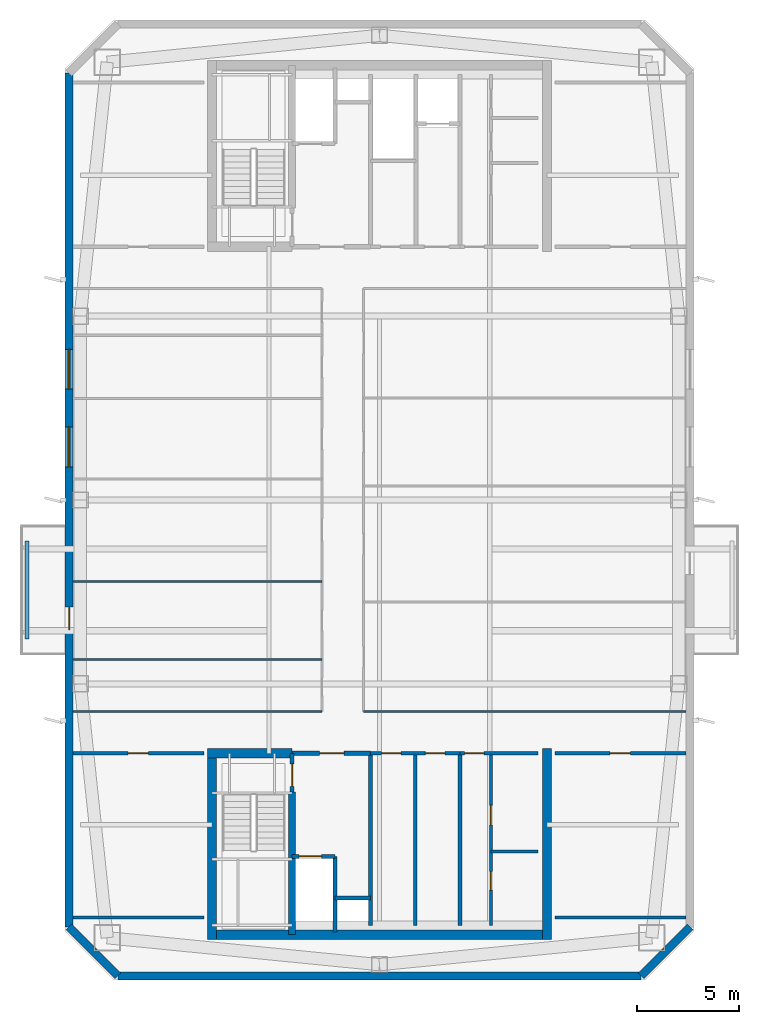
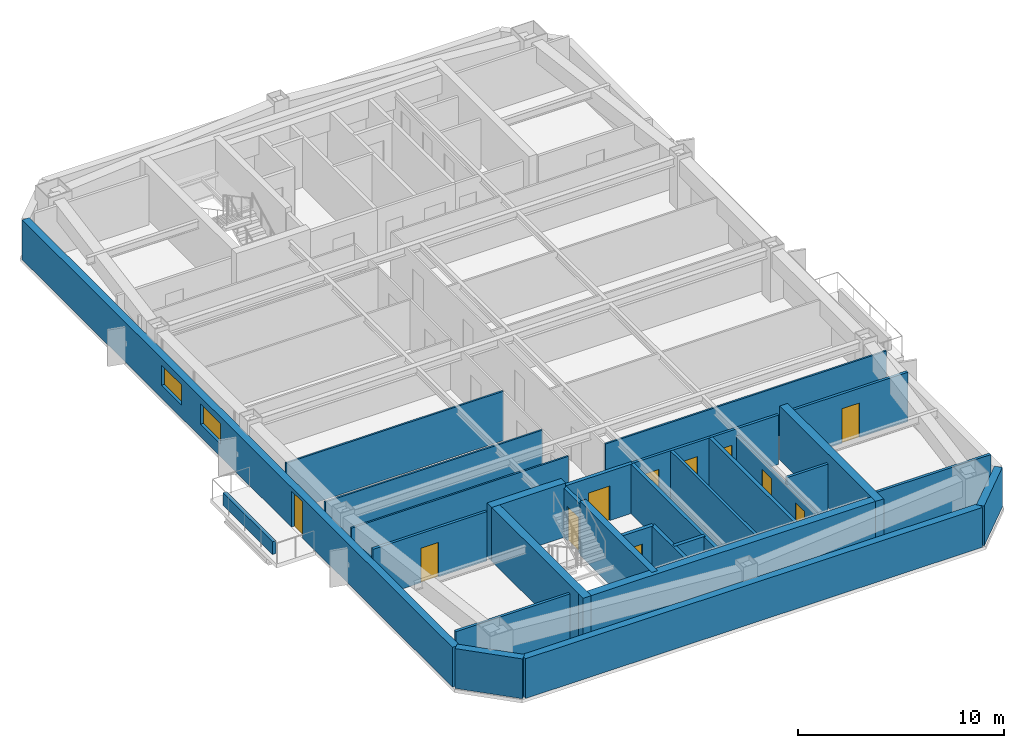
# One storey, part 2 of 7: 30 walls, 11 doors, 2 windows, 13 openings.
"""IFC4 building model written with IfcOpenShell, lengths in metres."""

from ifc_helpers import new_model, si_unit, direction, frame, frame_2d, origin, place, context, subcontext, project, spatial, rectangle, extrude, material, layer, layer_set, type_object, element, fill, save


model = new_model("IFC4")

# Units and contexts
model_context = context("Model", 3, precision=1e-05, world=origin(), true_north=direction((0.0, 1.0)))
body_context = subcontext(model_context, "Body", "Model", "MODEL_VIEW")
ifc_project = project(units=[si_unit("LENGTHUNIT", "METRE"), si_unit("AREAUNIT", "SQUARE_METRE"), si_unit("VOLUMEUNIT", "CUBIC_METRE"), si_unit("PLANEANGLEUNIT", "RADIAN"), si_unit("MASSUNIT", "GRAM", prefix="KILO")], contexts=[model_context])

# Site, building, storey
site_placement = place(None, origin())
site = spatial("IfcSite", under=ifc_project, at=site_placement, CompositionType="ELEMENT")
building_placement = place(site_placement, origin())
building = spatial("IfcBuilding", under=site, at=building_placement, Name="Qiaolan Cultural Towers", CompositionType="ELEMENT")
storey_placement = place(building_placement, frame((0.0, 0.0, 256.800048828125)))
storey = spatial("IfcBuildingStorey", under=building, at=storey_placement, Name="L70", CompositionType="ELEMENT", Elevation=256.800048828125)

# Walls
ifc_material_1 = material(Name="Concrete C50", Category="concrete")
ifc_layer_1 = layer(ifc_material_1, 0.35009765625)
ifc_layer_set_1 = layer_set([ifc_layer_1], Name="Concrete C50")
wall_type_1 = type_object("IfcWallType", Name="WL-CORE-350", PredefinedType="SHEAR", material=ifc_layer_set_1)
wall_1_placement = place(storey_placement, frame((25.719970703125, 19.699951171875, 0.0), z_axis=(0.0, 0.0, 1.0), x_axis=(0.0, -1.0, 0.0)))
element("IfcWall", 1, at=wall_1_placement, inside=storey, type_object=wall_type_1, Name="L70 T1-CS Stair Core Dividing Web", PredefinedType="SHEAR", context=body_context, shape_type="SweptSolid", body=[
    extrude(rectangle(XDim=6.97998046875, YDim=0.35009765625, at=frame_2d((3.489990234375, 0.0))), origin(), (0.0, 0.0, 1.0), 3.199951171875),
])
ifc_material_2 = material(Name="Concrete C50", Category="concrete")
ifc_layer_2 = layer(ifc_material_2, 0.449951171875)
ifc_layer_set_2 = layer_set([ifc_layer_2], Name="Concrete C50")
wall_type_2 = type_object("IfcWallType", Name="WL-CORE-450", PredefinedType="SHEAR", material=ifc_layer_set_2)
wall_2_placement = place(storey_placement, frame((21.574951171875, 12.719970703125, 0.0), z_axis=(0.0, 0.0, 1.0), x_axis=(1.0, 0.0, 0.0)))
element("IfcWall", 2, at=wall_2_placement, inside=storey, type_object=wall_type_2, Name="L70 T1-CS Outer Core Shear Wall", PredefinedType="SHEAR", context=body_context, shape_type="SweptSolid", body=[
    extrude(rectangle(XDim=16.85009765625, YDim=0.449951171875, at=frame_2d((8.425048828125, 0.0))), origin(), (0.0, 0.0, 1.0), 3.199951171875),
])
for number, where, z_axis, x_axis, name in (
    (3, (21.800048828125, 21.824951171875, 0.0), (0.0, 0.0, 1.0), (0.0, -1.0, 0.0), "L70 T1-CS West Core Shear Wall"),
    (4, (38.199951171875, 21.824951171875, 0.0), (0.0, 0.0, 1.0), (0.0, -1.0, 0.0), "L70 T1-CS East Core Shear Wall"),
):
    element("IfcWall", number, at=place(storey_placement, frame(where, z_axis=z_axis, x_axis=x_axis)), inside=storey, type_object=wall_type_2, Name=name, PredefinedType="SHEAR", context=body_context, shape_type="SweptSolid", body=[
        extrude(rectangle(XDim=9.329833984375, YDim=0.449951171875, at=frame_2d((4.6650390625, 0.0))), origin(), (0.0, 0.0, 1.0), 3.199951171875),
    ])
wall_3_placement = place(storey_placement, frame((21.574951171875, 21.60009765625, 0.0), z_axis=(0.0, 0.0, 1.0), x_axis=(1.0, 0.0, 0.0)))
element("IfcWall", 5, at=wall_3_placement, inside=storey, type_object=wall_type_2, Name="L70 T1-CS Stair Front Shear Wall", PredefinedType="SHEAR", context=body_context, shape_type="SweptSolid", body=[
    extrude(rectangle(XDim=4.14501953125, YDim=0.449951171875, at=frame_2d((2.072509765625, 0.0))), origin(), (0.0, 0.0, 1.0), 3.199951171875),
])

# Wall, openings, door, windows
ifc_material_3 = material(Name="Precast Concrete C50 Honed Stone Pier", Category="masonry")
ifc_layer_3 = layer(ifc_material_3, 0.39990234375)
ifc_layer_set_3 = layer_set([ifc_layer_3], Name="Precast Concrete C50 Honed Stone Pier")
wall_type_3 = type_object("IfcWallType", Name="WL-EXT-PIER-400", PredefinedType="SOLIDWALL", material=ifc_layer_set_3)
wall_4_placement = place(storey_placement, frame((14.800048828125, 13.10009765625, 0.0), z_axis=(0.0, 0.0, 1.0), x_axis=(0.0, 1.0, 0.0)))
wall_4 = element("IfcWall", 6, at=wall_4_placement, inside=storey, type_object=wall_type_3, Name="L70 West Tower Precast Pier Facade Wall F1", PredefinedType="SOLIDWALL", context=body_context, shape_type="SweptSolid", body=[
    extrude(rectangle(XDim=41.7998046875, YDim=0.39990234375, at=frame_2d((20.89990234375, 0.0))), origin(), (0.0, 0.0, 1.0), 2.35986328125),
])
opening_1_placement = place(wall_4_placement, frame((22.52490234375, 0.0, 0.75)))
opening_1 = element("IfcOpeningElement", 7, at=opening_1_placement, cuts=wall_4, Name="Opening W-06", PredefinedType="OPENING", context=body_context, shape_type="SweptSolid", body=[
    extrude(rectangle(XDim=1.949951171875, YDim=1.2099609375, at=frame_2d((0.97509765625, 0.60498046875))), frame((0.0, 0.2099609375, 0.0), z_axis=(0.0, -1.0, 0.0), x_axis=(1.0, 0.0, 0.0)), (0.0, 0.0, 1.0), 0.419921875),
])
opening_2_placement = place(wall_4_placement, frame((26.324951171875, 0.0, 0.75)))
opening_2 = element("IfcOpeningElement", 8, at=opening_2_placement, cuts=wall_4, Name="Opening W-06", PredefinedType="OPENING", context=body_context, shape_type="SweptSolid", body=[
    extrude(rectangle(XDim=1.949951171875, YDim=1.2099609375, at=frame_2d((0.97509765625, 0.60498046875))), frame((0.0, 0.2099609375, 0.0), z_axis=(0.0, -1.0, 0.0), x_axis=(1.0, 0.0, 0.0)), (0.0, 0.0, 1.0), 0.419921875),
])
opening_3_placement = place(wall_4_placement, frame((14.550048828125, 0.0, 0.0)))
opening_3 = element("IfcOpeningElement", 9, at=opening_3_placement, cuts=wall_4, Name="Opening BD-01", PredefinedType="OPENING", context=body_context, shape_type="SweptSolid", body=[
    extrude(rectangle(XDim=1.10009765625, YDim=2.14990234375, at=frame_2d((0.550048828125, 1.074951171875))), frame((0.0, 0.2099609375, 0.0), z_axis=(0.0, -1.0, 0.0), x_axis=(1.0, 0.0, 0.0)), (0.0, 0.0, 1.0), 0.419921875),
])
ifc_material_4 = material(Name="Thermally Broken Aluminium Glazed Terrace Door", Category="aluminium")
door_type_1 = type_object("IfcDoorType", Name="DR-BAL-1100", OperationType="NOTDEFINED", PredefinedType="DOOR", material=ifc_material_4)
door_1_placement = place(opening_3_placement, origin())
door_1 = element("IfcDoor", 10, at=door_1_placement, inside=storey, type_object=door_type_1, Name="L70 T1 West Tree Balcony Door", OperationType="SINGLE_SWING_LEFT", OverallHeight=2.14990234375, OverallWidth=1.10009765625, PredefinedType="DOOR", context=body_context, shape_type="SweptSolid", body=[
    extrude(rectangle(XDim=1.10009765625, YDim=2.14990234375, at=frame_2d((0.550048828125, 1.074951171875))), frame((0.0, 0.02490234375, 0.0), z_axis=(0.0, -1.0, 0.0), x_axis=(1.0, 0.0, 0.0)), (0.0, 0.0, 1.0), 0.050048828125),
])
fill(opening_3, door_1)
ifc_material_5 = material(Name="Thermally Broken Aluminium Triple Low-E Glazing", Category="aluminium")
window_type = type_object("IfcWindowType", Name="WN-CHIC-1950", PartitioningType="SINGLE_PANEL", PredefinedType="WINDOW", material=ifc_material_5)
window_1_placement = place(opening_1_placement, origin())
window_1 = element("IfcWindow", 11, at=window_1_placement, inside=storey, type_object=window_type, Name="L70 T1 W Chicago Bay Window 1", OverallHeight=1.2099609375, OverallWidth=1.949951171875, PartitioningType="TRIPLE_PANEL_VERTICAL", PredefinedType="WINDOW", context=body_context, shape_type="SweptSolid", body=[
    extrude(rectangle(XDim=1.949951171875, YDim=1.2099609375, at=frame_2d((0.97509765625, 0.60498046875))), frame((0.0, 0.030029296875, 0.0), z_axis=(0.0, -1.0, 0.0), x_axis=(1.0, 0.0, 0.0)), (0.0, 0.0, 1.0), 0.06005859375),
])
fill(opening_1, window_1)
window_2_placement = place(opening_2_placement, origin())
window_2 = element("IfcWindow", 12, at=window_2_placement, inside=storey, type_object=window_type, Name="L70 T1 W Chicago Bay Window 2", OverallHeight=1.2099609375, OverallWidth=1.949951171875, PartitioningType="TRIPLE_PANEL_VERTICAL", PredefinedType="WINDOW", context=body_context, shape_type="SweptSolid", body=[
    extrude(rectangle(XDim=1.949951171875, YDim=1.2099609375, at=frame_2d((0.97509765625, 0.60498046875))), frame((0.0, 0.030029296875, 0.0), z_axis=(0.0, -1.0, 0.0), x_axis=(1.0, 0.0, 0.0)), (0.0, 0.0, 1.0), 0.06005859375),
])
fill(opening_2, window_2)

# Walls
wall_5_placement = place(storey_placement, frame((45.199951171875, 13.10009765625, 0.0), z_axis=(0.0, 0.0, 1.0), x_axis=(-0.707070815327, -0.707142745217, 0.0)))
element("IfcWall", 13, at=wall_5_placement, inside=storey, type_object=wall_type_3, Name="L70 West Tower Precast Pier Facade Wall F6", PredefinedType="SOLIDWALL", context=body_context, shape_type="SweptSolid", body=[
    extrude(rectangle(XDim=3.39404296875, YDim=0.39990234375, at=frame_2d((1.697021484375, 0.0))), origin(), (0.0, 0.0, 1.0), 2.35986328125),
])
wall_6_placement = place(storey_placement, frame((42.800048828125, 10.699951171875, 0.0), z_axis=(0.0, 0.0, 1.0), x_axis=(-1.0, 0.0, 0.0)))
element("IfcWall", 14, at=wall_6_placement, inside=storey, type_object=wall_type_3, Name="L70 West Tower Precast Pier Facade Wall F7", PredefinedType="SOLIDWALL", context=body_context, shape_type="SweptSolid", body=[
    extrude(rectangle(XDim=25.60009765625, YDim=0.39990234375, at=frame_2d((12.800048828125, 0.0))), origin(), (0.0, 0.0, 1.0), 2.35986328125),
])
wall_7_placement = place(storey_placement, frame((17.199951171875, 10.699951171875, 0.0), z_axis=(0.0, 0.0, 1.0), x_axis=(-0.707070815327, 0.707142745217, 0.0)))
element("IfcWall", 15, at=wall_7_placement, inside=storey, type_object=wall_type_3, Name="L70 West Tower Precast Pier Facade Wall F8", PredefinedType="SOLIDWALL", context=body_context, shape_type="SweptSolid", body=[
    extrude(rectangle(XDim=3.39404296875, YDim=0.39990234375, at=frame_2d((1.697021484375, 0.0))), origin(), (0.0, 0.0, 1.0), 2.35986328125),
])

# Wall, opening, door
ifc_material_6 = material(Name="Concrete C35 Fire Wall", Category="concrete")
ifc_layer_4 = layer(ifc_material_6, 0.199951171875)
ifc_layer_set_4 = layer_set([ifc_layer_4], Name="Concrete C35 Fire Wall")
wall_type_4 = type_object("IfcWallType", Name="WL-FIRE-200", PredefinedType="PARTITIONING", material=ifc_layer_set_4)
wall_8_placement = place(storey_placement, frame((25.719970703125, 21.60009765625, 0.0), z_axis=(0.0, 0.0, 1.0), x_axis=(0.0, -1.0, 0.0)))
wall_8 = element("IfcWall", 16, at=wall_8_placement, inside=storey, type_object=wall_type_4, Name="L70 T1-CS Smokeproof Stair Entry Wall", PredefinedType="PARTITIONING", context=body_context, shape_type="SweptSolid", body=[
    extrude(rectangle(XDim=1.900146484375, YDim=0.199951171875, at=frame_2d((0.9501953125, 0.0))), origin(), (0.0, 0.0, 1.0), 2.925048828125),
])
opening_4_placement = place(wall_8_placement, frame((0.52001953125, 0.0, 0.0)))
opening_4 = element("IfcOpeningElement", 17, at=opening_4_placement, cuts=wall_8, Name="Opening FD-04", PredefinedType="OPENING", context=body_context, shape_type="SweptSolid", body=[
    extrude(rectangle(XDim=1.10009765625, YDim=2.050048828125, at=frame_2d((0.550048828125, 1.02490234375))), frame((0.0, 0.10986328125, 0.0), z_axis=(0.0, -1.0, 0.0), x_axis=(1.0, 0.0, 0.0)), (0.0, 0.0, 1.0), 0.219970703125),
])
ifc_material_7 = material(Name="Galvanized Steel Command Fire Door", Category="steel")
door_type_2 = type_object("IfcDoorType", Name="DR-FD90-1100", OperationType="NOTDEFINED", PredefinedType="DOOR", material=ifc_material_7)
door_2_placement = place(opening_4_placement, origin())
door_2 = element("IfcDoor", 18, at=door_2_placement, inside=storey, type_object=door_type_2, Name="L70 ST-W1 Smokeproof Stair Fire Door", OperationType="SINGLE_SWING_LEFT", OverallHeight=2.050048828125, OverallWidth=1.10009765625, PredefinedType="DOOR", context=body_context, shape_type="SweptSolid", body=[
    extrude(rectangle(XDim=1.10009765625, YDim=2.050048828125, at=frame_2d((0.550048828125, 1.02490234375))), frame((0.0, 0.02490234375, 0.0), z_axis=(0.0, -1.0, 0.0), x_axis=(1.0, 0.0, 0.0)), (0.0, 0.0, 1.0), 0.050048828125),
])
fill(opening_4, door_2)

# Wall
wall_9_placement = place(storey_placement, frame((29.550048828125, 21.60009765625, 0.0), z_axis=(0.0, 0.0, 1.0), x_axis=(0.0, -1.0, 0.0)))
element("IfcWall", 19, at=wall_9_placement, inside=storey, type_object=wall_type_4, Name="L70 T1-CS Firefighting Zone Wall", PredefinedType="PARTITIONING", context=body_context, shape_type="SweptSolid", body=[
    extrude(rectangle(XDim=8.43017578125, YDim=0.199951171875, at=frame_2d((4.215087890625, 0.0))), origin(), (0.0, 0.0, 1.0), 2.925048828125),
])

# Wall, opening, door
wall_10_placement = place(storey_placement, frame((25.719970703125, 21.60009765625, 0.0), z_axis=(0.0, 0.0, 1.0), x_axis=(1.0, 0.0, 0.0)))
wall_10 = element("IfcWall", 20, at=wall_10_placement, inside=storey, type_object=wall_type_4, Name="L70 T1-CS Firefighting Lobby Front Wall", PredefinedType="PARTITIONING", context=body_context, shape_type="SweptSolid", body=[
    extrude(rectangle(XDim=3.830078125, YDim=0.199951171875, at=frame_2d((1.9150390625, 0.0))), origin(), (0.0, 0.0, 1.0), 2.925048828125),
])
opening_5_placement = place(wall_10_placement, frame((1.35009765625, 0.0, 0.0)))
opening_5 = element("IfcOpeningElement", 21, at=opening_5_placement, cuts=wall_10, Name="Opening FD-03", PredefinedType="OPENING", context=body_context, shape_type="SweptSolid", body=[
    extrude(rectangle(XDim=1.199951171875, YDim=2.050048828125, at=frame_2d((0.60009765625, 1.02490234375))), frame((0.0, 0.10986328125, 0.0), z_axis=(0.0, -1.0, 0.0), x_axis=(1.0, 0.0, 0.0)), (0.0, 0.0, 1.0), 0.219970703125),
])
ifc_material_8 = material(Name="Galvanized Steel Smokeproof Lobby Fire Door", Category="steel")
door_type_3 = type_object("IfcDoorType", Name="DR-FD90-1200", OperationType="NOTDEFINED", PredefinedType="DOOR", material=ifc_material_8)
door_3_placement = place(opening_5_placement, origin())
door_3 = element("IfcDoor", 22, at=door_3_placement, inside=storey, type_object=door_type_3, Name="L70 FFL-W1 Firefighting Lobby Fire Door", OperationType="SINGLE_SWING_LEFT", OverallHeight=2.050048828125, OverallWidth=1.199951171875, PredefinedType="DOOR", context=body_context, shape_type="SweptSolid", body=[
    extrude(rectangle(XDim=1.199951171875, YDim=2.050048828125, at=frame_2d((0.60009765625, 1.02490234375))), frame((0.0, 0.02490234375, 0.0), z_axis=(0.0, -1.0, 0.0), x_axis=(1.0, 0.0, 0.0)), (0.0, 0.0, 1.0), 0.050048828125),
])
fill(opening_5, door_3)

wall_11_placement = place(storey_placement, frame((25.719970703125, 16.550048828125, 0.0), z_axis=(0.0, 0.0, 1.0), x_axis=(1.0, 0.0, 0.0)))
wall_11 = element("IfcWall", 23, at=wall_11_placement, inside=storey, type_object=wall_type_4, Name="L70 T1-CS Firefighting Shaft Front Wall", PredefinedType="PARTITIONING", context=body_context, shape_type="SweptSolid", body=[
    extrude(rectangle(XDim=2.10009765625, YDim=0.199951171875, at=frame_2d((1.050048828125, 0.0))), origin(), (0.0, 0.0, 1.0), 2.925048828125),
])
opening_6_placement = place(wall_11_placement, frame((0.35009765625, 0.0, 0.0)))
opening_6 = element("IfcOpeningElement", 24, at=opening_6_placement, cuts=wall_11, Name="Opening LD-01", PredefinedType="OPENING", context=body_context, shape_type="SweptSolid", body=[
    extrude(rectangle(XDim=1.10009765625, YDim=2.050048828125, at=frame_2d((0.550048828125, 1.02490234375))), frame((0.0, 0.10986328125, 0.0), z_axis=(0.0, -1.0, 0.0), x_axis=(1.0, 0.0, 0.0)), (0.0, 0.0, 1.0), 0.219970703125),
])
ifc_material_9 = material(Name="Brushed Stainless Steel S30408 Centre-Parting Lift Landing Door", Category="steel")
door_type_4 = type_object("IfcDoorType", Name="DR-LIFT-1100", OperationType="NOTDEFINED", PredefinedType="DOOR", material=ifc_material_9)
door_4_placement = place(opening_6_placement, origin())
door_4 = element("IfcDoor", 25, at=door_4_placement, inside=storey, type_object=door_type_4, Name="L70 FFL-W1 Firefighting Lift Landing Door", OperationType="DOUBLE_DOOR_SLIDING", OverallHeight=2.050048828125, OverallWidth=1.10009765625, PredefinedType="DOOR", context=body_context, shape_type="SweptSolid", body=[
    extrude(rectangle(XDim=1.10009765625, YDim=2.050048828125, at=frame_2d((0.550048828125, 1.02490234375))), frame((0.0, 0.02490234375, 0.0), z_axis=(0.0, -1.0, 0.0), x_axis=(1.0, 0.0, 0.0)), (0.0, 0.0, 1.0), 0.050048828125),
])
fill(opening_6, door_4)

# Walls
wall_12_placement = place(storey_placement, frame((27.820068359375, 16.550048828125, 0.0), z_axis=(0.0, 0.0, 1.0), x_axis=(0.0, -1.0, 0.0)))
element("IfcWall", 26, at=wall_12_placement, inside=storey, type_object=wall_type_4, Name="L70 T1-CS Firefighting Hoistway East Wall", PredefinedType="PARTITIONING", context=body_context, shape_type="SweptSolid", body=[
    extrude(rectangle(XDim=3.699951171875, YDim=0.199951171875, at=frame_2d((1.85009765625, 0.0))), origin(), (0.0, 0.0, 1.0), 2.925048828125),
])
wall_13_placement = place(storey_placement, frame((27.820068359375, 14.52001953125, 0.0), z_axis=(0.0, 0.0, 1.0), x_axis=(1.0, 0.0, 0.0)))
element("IfcWall", 27, at=wall_13_placement, inside=storey, type_object=wall_type_4, Name="L70 T1-CS Pressurization Shaft Front Wall", PredefinedType="PARTITIONING", context=body_context, shape_type="SweptSolid", body=[
    extrude(rectangle(XDim=1.72998046875, YDim=0.199951171875, at=frame_2d((0.864990234375, 0.0))), origin(), (0.0, 0.0, 1.0), 2.925048828125),
])
wall_14_placement = place(storey_placement, frame((33.949951171875, 21.60009765625, 0.0), z_axis=(0.0, 0.0, 1.0), x_axis=(0.0, -1.0, 0.0)))
element("IfcWall", 28, at=wall_14_placement, inside=storey, type_object=wall_type_4, Name="L70 T1-CS Lift Core East Wall", PredefinedType="PARTITIONING", context=body_context, shape_type="SweptSolid", body=[
    extrude(rectangle(XDim=8.43017578125, YDim=0.199951171875, at=frame_2d((4.215087890625, 0.0))), origin(), (0.0, 0.0, 1.0), 2.925048828125),
])
ifc_material_10 = material(Name="Acoustic Double-Glazed Partition Frame", Category="glass")
ifc_layer_5 = layer(ifc_material_10, 0.10009765625)
ifc_layer_set_5 = layer_set([ifc_layer_5], Name="Acoustic Double-Glazed Partition Frame")
wall_type_5 = type_object("IfcWallType", Name="WL-GLAZED-100", PredefinedType="MOVABLE", material=ifc_layer_set_5)
wall_15_placement = place(storey_placement, frame((15.0, 23.64990234375, 0.0), z_axis=(0.0, 0.0, 1.0), x_axis=(1.0, 0.0, 0.0)))
element("IfcWall", 29, at=wall_15_placement, inside=storey, type_object=wall_type_5, Name="L70 T1 South Corridor Left Wall", PredefinedType="MOVABLE", context=body_context, shape_type="SweptSolid", body=[
    extrude(rectangle(XDim=12.175048828125, YDim=0.10009765625, at=frame_2d((6.08740234375, 0.0))), origin(), (0.0, 0.0, 1.0), 2.925048828125),
])
wall_16_placement = place(storey_placement, frame((29.22509765625, 23.64990234375, 0.0), z_axis=(0.0, 0.0, 1.0), x_axis=(1.0, 0.0, 0.0)))
element("IfcWall", 30, at=wall_16_placement, inside=storey, type_object=wall_type_5, Name="L70 T1 South Corridor Right Wall", PredefinedType="MOVABLE", context=body_context, shape_type="SweptSolid", body=[
    extrude(rectangle(XDim=15.77490234375, YDim=0.10009765625, at=frame_2d((7.887451171875, 0.0))), origin(), (0.0, 0.0, 1.0), 2.925048828125),
])
for number, where, z_axis, x_axis, name in (
    (31, (15.0, 26.199951171875, 0.0), (0.0, 0.0, 1.0), (1.0, 0.0, 0.0), "L70 T1 West Partition 1"),
    (32, (15.0, 30.0, 0.0), (0.0, 0.0, 1.0), (1.0, 0.0, 0.0), "L70 T1 West Partition 2"),
):
    element("IfcWall", number, at=place(storey_placement, frame(where, z_axis=z_axis, x_axis=x_axis)), inside=storey, type_object=wall_type_5, Name=name, PredefinedType="MOVABLE", context=body_context, shape_type="SweptSolid", body=[
        extrude(rectangle(XDim=12.175048828125, YDim=0.10009765625, at=frame_2d((6.08740234375, 0.0))), origin(), (0.0, 0.0, 1.0), 2.925048828125),
    ])

# Wall, openings, doors
ifc_material_11 = material(Name="Autoclaved Aerated Concrete Block B06", Category="concrete")
ifc_layer_6 = layer(ifc_material_11, 0.14990234375)
ifc_layer_set_6 = layer_set([ifc_layer_6], Name="Autoclaved Aerated Concrete Block B06")
wall_type_6 = type_object("IfcWallType", Name="WL-PART-150", PredefinedType="PARTITIONING", material=ifc_layer_set_6)
wall_17_placement = place(storey_placement, frame((29.550048828125, 21.60009765625, 0.0), z_axis=(0.0, 0.0, 1.0), x_axis=(1.0, 0.0, 0.0)))
wall_17 = element("IfcWall", 33, at=wall_17_placement, inside=storey, type_object=wall_type_6, Name="L70 T1-CS Reclaimed Core Room Front Wall", PredefinedType="PARTITIONING", context=body_context, shape_type="SweptSolid", body=[
    extrude(rectangle(XDim=4.39990234375, YDim=0.14990234375, at=frame_2d((2.199951171875, 0.0))), origin(), (0.0, 0.0, 1.0), 2.925048828125),
])
opening_7_placement = place(wall_17_placement, frame((0.550048828125, 0.0, 0.0)))
opening_7 = element("IfcOpeningElement", 34, at=opening_7_placement, cuts=wall_17, Name="Opening ID-05", PredefinedType="OPENING", context=body_context, shape_type="SweptSolid", body=[
    extrude(rectangle(XDim=0.949951171875, YDim=2.050048828125, at=frame_2d((0.47509765625, 1.02490234375))), frame((0.0, 0.0849609375, 0.0), z_axis=(0.0, -1.0, 0.0), x_axis=(1.0, 0.0, 0.0)), (0.0, 0.0, 1.0), 0.169921875),
])
opening_8_placement = place(wall_17_placement, frame((2.699951171875, 0.0, 0.0)))
opening_8 = element("IfcOpeningElement", 35, at=opening_8_placement, cuts=wall_17, Name="Opening ID-05", PredefinedType="OPENING", context=body_context, shape_type="SweptSolid", body=[
    extrude(rectangle(XDim=0.949951171875, YDim=2.050048828125, at=frame_2d((0.47509765625, 1.02490234375))), frame((0.0, 0.0849609375, 0.0), z_axis=(0.0, -1.0, 0.0), x_axis=(1.0, 0.0, 0.0)), (0.0, 0.0, 1.0), 0.169921875),
])
ifc_material_12 = material(Name="Fire-Rated Laminate Accessible Core Door", Category="timber")
door_type_5 = type_object("IfcDoorType", Name="DR-INT-950", OperationType="NOTDEFINED", PredefinedType="DOOR", material=ifc_material_12)
door_5_placement = place(opening_7_placement, origin())
door_5 = element("IfcDoor", 36, at=door_5_placement, inside=storey, type_object=door_type_5, Name="L70 Copy Print Room Door", OperationType="SINGLE_SWING_LEFT", OverallHeight=2.050048828125, OverallWidth=0.949951171875, PredefinedType="DOOR", context=body_context, shape_type="SweptSolid", body=[
    extrude(rectangle(XDim=0.949951171875, YDim=2.050048828125, at=frame_2d((0.47509765625, 1.02490234375))), frame((0.0, 0.02490234375, 0.0), z_axis=(0.0, -1.0, 0.0), x_axis=(1.0, 0.0, 0.0)), (0.0, 0.0, 1.0), 0.050048828125),
])
fill(opening_7, door_5)
door_6_placement = place(opening_8_placement, origin())
door_6 = element("IfcDoor", 37, at=door_6_placement, inside=storey, type_object=door_type_5, Name="L70 Tea Pantry Room Door", OperationType="SINGLE_SWING_RIGHT", OverallHeight=2.050048828125, OverallWidth=0.949951171875, PredefinedType="DOOR", context=body_context, shape_type="SweptSolid", body=[
    extrude(rectangle(XDim=0.949951171875, YDim=2.050048828125, at=frame_2d((0.47509765625, 1.02490234375))), frame((0.0, 0.02490234375, 0.0), z_axis=(0.0, -1.0, 0.0), x_axis=(1.0, 0.0, 0.0)), (0.0, 0.0, 1.0), 0.050048828125),
])
fill(opening_8, door_6)

# Wall
wall_18_placement = place(storey_placement, frame((31.75, 21.60009765625, 0.0), z_axis=(0.0, 0.0, 1.0), x_axis=(0.0, -1.0, 0.0)))
element("IfcWall", 38, at=wall_18_placement, inside=storey, type_object=wall_type_6, Name="L70 T1-CS Reclaimed Twin Room Wall", PredefinedType="PARTITIONING", context=body_context, shape_type="SweptSolid", body=[
    extrude(rectangle(XDim=8.43017578125, YDim=0.14990234375, at=frame_2d((4.215087890625, 0.0))), origin(), (0.0, 0.0, 1.0), 2.925048828125),
])

# Wall, opening, door
wall_19_placement = place(storey_placement, frame((33.949951171875, 21.60009765625, 0.0), z_axis=(0.0, 0.0, 1.0), x_axis=(1.0, 0.0, 0.0)))
wall_19 = element("IfcWall", 39, at=wall_19_placement, inside=storey, type_object=wall_type_6, Name="L70 T1-CS Sanitary Core Front Wall", PredefinedType="PARTITIONING", context=body_context, shape_type="SweptSolid", body=[
    extrude(rectangle(XDim=3.800048828125, YDim=0.14990234375, at=frame_2d((1.89990234375, 0.0))), origin(), (0.0, 0.0, 1.0), 2.925048828125),
])
opening_9_placement = place(wall_19_placement, frame((0.219970703125, 0.0, 0.0)))
opening_9 = element("IfcOpeningElement", 40, at=opening_9_placement, cuts=wall_19, Name="Opening ID-05", PredefinedType="OPENING", context=body_context, shape_type="SweptSolid", body=[
    extrude(rectangle(XDim=0.949951171875, YDim=2.050048828125, at=frame_2d((0.47509765625, 1.02490234375))), frame((0.0, 0.0849609375, 0.0), z_axis=(0.0, -1.0, 0.0), x_axis=(1.0, 0.0, 0.0)), (0.0, 0.0, 1.0), 0.169921875),
])
door_7_placement = place(opening_9_placement, origin())
door_7 = element("IfcDoor", 41, at=door_7_placement, inside=storey, type_object=door_type_5, Name="L70 Sanitary Lobby Door", OperationType="SINGLE_SWING_LEFT", OverallHeight=2.050048828125, OverallWidth=0.949951171875, PredefinedType="DOOR", context=body_context, shape_type="SweptSolid", body=[
    extrude(rectangle(XDim=0.949951171875, YDim=2.050048828125, at=frame_2d((0.47509765625, 1.02490234375))), frame((0.0, 0.02490234375, 0.0), z_axis=(0.0, -1.0, 0.0), x_axis=(1.0, 0.0, 0.0)), (0.0, 0.0, 1.0), 0.050048828125),
])
fill(opening_9, door_7)

# Wall, openings, doors
wall_20_placement = place(storey_placement, frame((35.449951171875, 21.60009765625, 0.0), z_axis=(0.0, 0.0, 1.0), x_axis=(0.0, -1.0, 0.0)))
wall_20 = element("IfcWall", 42, at=wall_20_placement, inside=storey, type_object=wall_type_6, Name="L70 T1-CS Washroom Split Wall", PredefinedType="PARTITIONING", context=body_context, shape_type="SweptSolid", body=[
    extrude(rectangle(XDim=8.43017578125, YDim=0.14990234375, at=frame_2d((4.215087890625, 0.0))), origin(), (0.0, 0.0, 1.0), 2.514892578125),
])
opening_10_placement = place(wall_20_placement, frame((2.550048828125, 0.0, 0.0)))
opening_10 = element("IfcOpeningElement", 43, at=opening_10_placement, cuts=wall_20, Name="Opening ID-05", PredefinedType="OPENING", context=body_context, shape_type="SweptSolid", body=[
    extrude(rectangle(XDim=0.949951171875, YDim=2.050048828125, at=frame_2d((0.47509765625, 1.02490234375))), frame((0.0, 0.0849609375, 0.0), z_axis=(0.0, -1.0, 0.0), x_axis=(1.0, 0.0, 0.0)), (0.0, 0.0, 1.0), 0.169921875),
])
opening_11_placement = place(wall_20_placement, frame((5.800048828125, 0.0, 0.0)))
opening_11 = element("IfcOpeningElement", 44, at=opening_11_placement, cuts=wall_20, Name="Opening ID-06", PredefinedType="OPENING", context=body_context, shape_type="SweptSolid", body=[
    extrude(rectangle(XDim=0.89990234375, YDim=2.050048828125, at=frame_2d((0.449951171875, 1.02490234375))), frame((0.0, 0.0849609375, 0.0), z_axis=(0.0, -1.0, 0.0), x_axis=(1.0, 0.0, 0.0)), (0.0, 0.0, 1.0), 0.169921875),
])
ifc_material_13 = material(Name="Fire-Rated Laminate Core Service Door", Category="timber")
door_type_6 = type_object("IfcDoorType", Name="DR-INT-900", OperationType="NOTDEFINED", PredefinedType="DOOR", material=ifc_material_13)
door_8_placement = place(opening_11_placement, origin())
door_8 = element("IfcDoor", 45, at=door_8_placement, inside=storey, type_object=door_type_6, Name="L70 First-Aid Room Door", OperationType="SINGLE_SWING_RIGHT", OverallHeight=2.050048828125, OverallWidth=0.89990234375, PredefinedType="DOOR", context=body_context, shape_type="SweptSolid", body=[
    extrude(rectangle(XDim=0.89990234375, YDim=2.050048828125, at=frame_2d((0.449951171875, 1.02490234375))), frame((0.0, 0.02490234375, 0.0), z_axis=(0.0, -1.0, 0.0), x_axis=(1.0, 0.0, 0.0)), (0.0, 0.0, 1.0), 0.050048828125),
])
fill(opening_11, door_8)
door_9_placement = place(opening_10_placement, origin())
door_9 = element("IfcDoor", 46, at=door_9_placement, inside=storey, type_object=door_type_5, Name="L70 Accessible Washroom Door", OperationType="SINGLE_SWING_LEFT", OverallHeight=2.050048828125, OverallWidth=0.949951171875, PredefinedType="DOOR", context=body_context, shape_type="SweptSolid", body=[
    extrude(rectangle(XDim=0.949951171875, YDim=2.050048828125, at=frame_2d((0.47509765625, 1.02490234375))), frame((0.0, 0.02490234375, 0.0), z_axis=(0.0, -1.0, 0.0), x_axis=(1.0, 0.0, 0.0)), (0.0, 0.0, 1.0), 0.050048828125),
])
fill(opening_10, door_9)

# Walls
wall_21_placement = place(storey_placement, frame((35.449951171875, 16.800048828125, 0.0), z_axis=(0.0, 0.0, 1.0), x_axis=(1.0, 0.0, 0.0)))
element("IfcWall", 47, at=wall_21_placement, inside=storey, type_object=wall_type_6, Name="L70 T1-CS First-Aid Wall", PredefinedType="PARTITIONING", context=body_context, shape_type="SweptSolid", body=[
    extrude(rectangle(XDim=2.300048828125, YDim=0.14990234375, at=frame_2d((1.14990234375, 0.0))), origin(), (0.0, 0.0, 1.0), 2.925048828125),
])
wall_22_placement = place(storey_placement, frame((15.0, 13.550048828125, 0.0), z_axis=(0.0, 0.0, 1.0), x_axis=(1.0, 0.0, 0.0)))
element("IfcWall", 48, at=wall_22_placement, inside=storey, type_object=wall_type_6, Name="L70 T1 Flank Wall FLK-SW", PredefinedType="PARTITIONING", context=body_context, shape_type="SweptSolid", body=[
    extrude(rectangle(XDim=6.39990234375, YDim=0.14990234375, at=frame_2d((3.199951171875, 0.0))), origin(), (0.0, 0.0, 1.0), 2.925048828125),
])

# Wall, opening, door
wall_23_placement = place(storey_placement, frame((15.0, 21.60009765625, 0.0), z_axis=(0.0, 0.0, 1.0), x_axis=(1.0, 0.0, 0.0)))
wall_23 = element("IfcWall", 49, at=wall_23_placement, inside=storey, type_object=wall_type_6, Name="L70 T1 Flank Front FLK-SW", PredefinedType="PARTITIONING", context=body_context, shape_type="SweptSolid", body=[
    extrude(rectangle(XDim=6.39990234375, YDim=0.14990234375, at=frame_2d((3.199951171875, 0.0))), origin(), (0.0, 0.0, 1.0), 2.925048828125),
])
opening_12_placement = place(wall_23_placement, frame((2.68798828125, 0.0, 0.0)))
opening_12 = element("IfcOpeningElement", 50, at=opening_12_placement, cuts=wall_23, Name="Opening ID-04", PredefinedType="OPENING", context=body_context, shape_type="SweptSolid", body=[
    extrude(rectangle(XDim=1.0, YDim=2.050048828125, at=frame_2d((0.5, 1.02490234375))), frame((0.0, 0.0849609375, 0.0), z_axis=(0.0, -1.0, 0.0), x_axis=(1.0, 0.0, 0.0)), (0.0, 0.0, 1.0), 0.169921875),
])
ifc_material_14 = material(Name="Oak Veneer Acoustic Office Door", Category="timber")
door_type_7 = type_object("IfcDoorType", Name="DR-INT-1000", OperationType="NOTDEFINED", PredefinedType="DOOR", material=ifc_material_14)
door_10_placement = place(opening_12_placement, origin())
door_10 = element("IfcDoor", 51, at=door_10_placement, inside=storey, type_object=door_type_7, Name="L70 T1 Corner Studio Door", OperationType="SINGLE_SWING_LEFT", OverallHeight=2.050048828125, OverallWidth=1.0, PredefinedType="DOOR", context=body_context, shape_type="SweptSolid", body=[
    extrude(rectangle(XDim=1.0, YDim=2.050048828125, at=frame_2d((0.5, 1.02490234375))), frame((0.0, 0.02490234375, 0.0), z_axis=(0.0, -1.0, 0.0), x_axis=(1.0, 0.0, 0.0)), (0.0, 0.0, 1.0), 0.050048828125),
])
fill(opening_12, door_10)

# Wall
wall_24_placement = place(storey_placement, frame((38.60009765625, 13.550048828125, 0.0), z_axis=(0.0, 0.0, 1.0), x_axis=(1.0, 0.0, 0.0)))
element("IfcWall", 52, at=wall_24_placement, inside=storey, type_object=wall_type_6, Name="L70 T1 Flank Wall FLK-SE", PredefinedType="PARTITIONING", context=body_context, shape_type="SweptSolid", body=[
    extrude(rectangle(XDim=6.39990234375, YDim=0.14990234375, at=frame_2d((3.199951171875, 0.0))), origin(), (0.0, 0.0, 1.0), 2.925048828125),
])

# Wall, opening, door
wall_25_placement = place(storey_placement, frame((38.60009765625, 21.60009765625, 0.0), z_axis=(0.0, 0.0, 1.0), x_axis=(1.0, 0.0, 0.0)))
wall_25 = element("IfcWall", 53, at=wall_25_placement, inside=storey, type_object=wall_type_6, Name="L70 T1 Flank Front FLK-SE", PredefinedType="PARTITIONING", context=body_context, shape_type="SweptSolid", body=[
    extrude(rectangle(XDim=6.39990234375, YDim=0.14990234375, at=frame_2d((3.199951171875, 0.0))), origin(), (0.0, 0.0, 1.0), 2.925048828125),
])
opening_13_placement = place(wall_25_placement, frame((2.68798828125, 0.0, 0.0)))
opening_13 = element("IfcOpeningElement", 54, at=opening_13_placement, cuts=wall_25, Name="Opening ID-04", PredefinedType="OPENING", context=body_context, shape_type="SweptSolid", body=[
    extrude(rectangle(XDim=1.0, YDim=2.050048828125, at=frame_2d((0.5, 1.02490234375))), frame((0.0, 0.0849609375, 0.0), z_axis=(0.0, -1.0, 0.0), x_axis=(1.0, 0.0, 0.0)), (0.0, 0.0, 1.0), 0.169921875),
])
door_11_placement = place(opening_13_placement, origin())
door_11 = element("IfcDoor", 55, at=door_11_placement, inside=storey, type_object=door_type_7, Name="L70 T1 Corner Studio Door", OperationType="SINGLE_SWING_LEFT", OverallHeight=2.050048828125, OverallWidth=1.0, PredefinedType="DOOR", context=body_context, shape_type="SweptSolid", body=[
    extrude(rectangle(XDim=1.0, YDim=2.050048828125, at=frame_2d((0.5, 1.02490234375))), frame((0.0, 0.02490234375, 0.0), z_axis=(0.0, -1.0, 0.0), x_axis=(1.0, 0.0, 0.0)), (0.0, 0.0, 1.0), 0.050048828125),
])
fill(opening_13, door_11)

# Wall
ifc_material_15 = material(Name="Precast Concrete C45 Tree Planter Upstand", Category="concrete")
ifc_layer_7 = layer(ifc_material_15, 0.199951171875)
ifc_layer_set_7 = layer_set([ifc_layer_7], Name="Precast Concrete C45 Tree Planter Upstand")
wall_type_7 = type_object("IfcWallType", Name="WL-PLANTER-200", PredefinedType="PARAPET", material=ifc_layer_set_7)
wall_26_placement = place(storey_placement, frame((12.75, 27.199951171875, 0.0), z_axis=(0.0, 0.0, 1.0), x_axis=(0.0, 1.0, 0.0)))
element("IfcWall", 56, at=wall_26_placement, inside=storey, type_object=wall_type_7, Name="L70 T1 Tree Balcony Soil Planter Box W", PredefinedType="PARAPET", context=body_context, shape_type="SweptSolid", body=[
    extrude(rectangle(XDim=4.800048828125, YDim=0.199951171875, at=frame_2d((2.39990234375, 0.0))), origin(), (0.0, 0.0, 1.0), 0.75),
])

save(model, "model.ifc")
